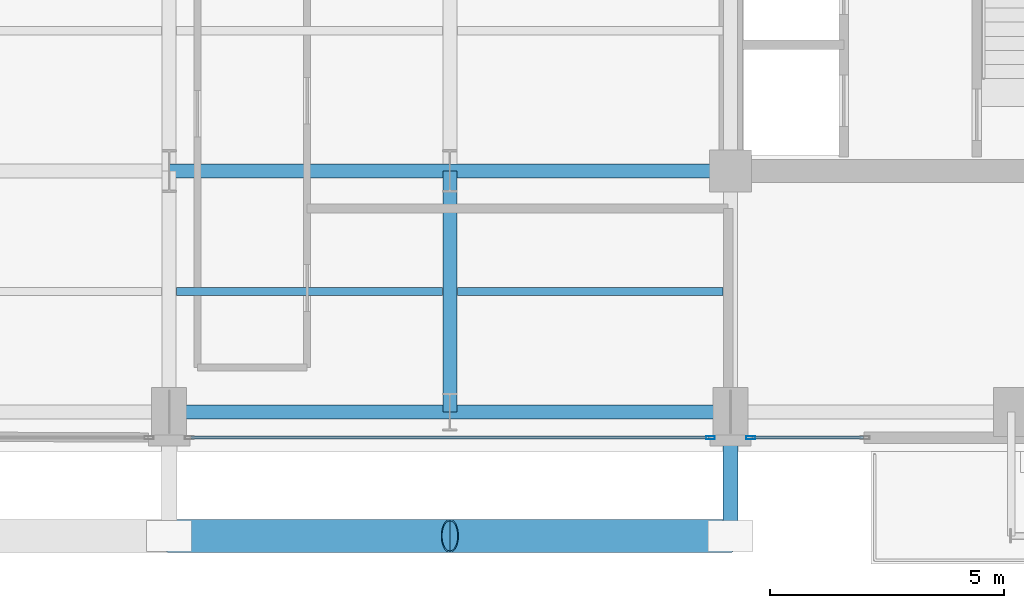
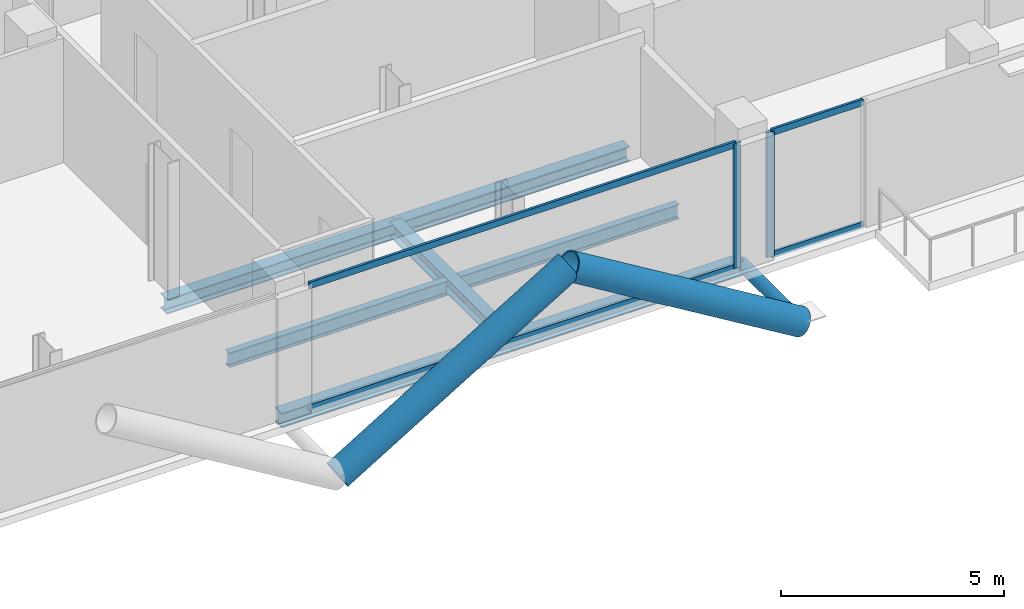
# One storey, part 4 of 25: 9 members, 7 beams, 2 elements without a shape of their own.
"""IFC4 building model written with IfcOpenShell, lengths in metres."""

from ifc_helpers import new_model, si_unit, direction, frame, origin, origin_2d, place, context, subcontext, project, spatial, hollow_rectangle, hollow_circle, i_section, extrude, material, layer, layer_set, material_profile, profile_set, type_object, element, aggregate, save


model = new_model("IFC4")

# Units and contexts
model_context = context("Model", 3, precision=1e-05, world=origin(), true_north=direction((0.0, 1.0)))
body_context = subcontext(model_context, "Body", "Model", "MODEL_VIEW")
ifc_project = project(units=[si_unit("LENGTHUNIT", "METRE"), si_unit("AREAUNIT", "SQUARE_METRE"), si_unit("VOLUMEUNIT", "CUBIC_METRE"), si_unit("PLANEANGLEUNIT", "RADIAN"), si_unit("MASSUNIT", "GRAM", prefix="KILO"), si_unit("THERMODYNAMICTEMPERATUREUNIT", "KELVIN"), si_unit("POWERUNIT", "WATT")], contexts=[model_context])

# Site, building, storey
site_placement = place(None, origin())
site = spatial("IfcSite", under=ifc_project, at=site_placement, CompositionType="ELEMENT")
building_placement = place(site_placement, origin())
building = spatial("IfcBuilding", under=site, at=building_placement, Name="Svarakhadi Broadcast Tower", CompositionType="ELEMENT")
storey_placement = place(building_placement, frame((0.0, 0.0, 231.14990234375)))
storey = spatial("IfcBuildingStorey", under=building, at=storey_placement, Name="L57", CompositionType="ELEMENT", Elevation=231.14990234375)

# Beams
ifc_material_1 = material(Name="Steel S355J2 (IS 2062 E350C)", Category="steel")
ifc_material_profile_1 = material_profile(ifc_material_1, i_section(OverallWidth=0.179931640625, OverallDepth=0.39990234375, WebThickness=0.008544921875, FlangeThickness=0.013427734375, FilletRadius=0.02099609375, at=origin_2d()), Name="NPB 400x180x66")
ifc_profile_set_1 = profile_set([ifc_material_profile_1], Name="Steel S355J2 (IS 2062 E350C)")
beam_type_1 = type_object("IfcBeamType", Name="Beam_NPB400", PredefinedType="BEAM", material=ifc_profile_set_1)
for number, where, z_axis, x_axis, name in (
    (1, (12.159912109375, 3.425048828125, -0.409912109375), (1.0, 0.0, 0.0), (0.0, 1.0, 0.0), "L57 Secondary Composite Beam SB009"),
    (2, (18.159912109375, 3.425048828125, -0.409912109375), (1.0, 0.0, 0.0), (0.0, 1.0, 0.0), "L57 Secondary Composite Beam SB013"),
):
    element("IfcBeam", number, at=place(storey_placement, frame(where, z_axis=z_axis, x_axis=x_axis)), inside=storey, type_object=beam_type_1, Name=name, PredefinedType="BEAM", context=body_context, shape_type="SweptSolid", body=[
        extrude(i_section(OverallWidth=0.179931640625, OverallDepth=0.39990234375, WebThickness=0.008544921875, FlangeThickness=0.013427734375, FilletRadius=0.02099609375, at=origin_2d()), origin(), (0.0, 0.0, 1.0), 5.68017578125),
    ])

# Curtain wall, member
ifc_material_2 = material(Name="Anodised Bronze Aluminium AA 6063-T6", Category="aluminium")
ifc_layer = layer(ifc_material_2, 0.18994140625)
ifc_layer_set = layer_set([ifc_layer], Name="Anodised Bronze Aluminium AA 6063-T6")
curtain_wall_type = type_object("IfcCurtainWallType", Name="CW_Sys_04", PredefinedType="NOTDEFINED", material=ifc_layer_set)
curtain_wall_1_placement = place(storey_placement, origin())
curtain_wall_1 = element("IfcCurtainWall", 3, at=curtain_wall_1_placement, inside=storey, type_object=curtain_wall_type, Name="L57 South Curtain Wall 17 Bay 1", PredefinedType="NOTDEFINED")
ifc_material_profile_2 = material_profile(ifc_material_2, hollow_rectangle(XDim=0.070068359375, YDim=0.18994140625, WallThickness=0.005615234375, at=origin_2d()), Name="ALU MULLION 190x70x6")
ifc_profile_set_2 = profile_set([ifc_material_profile_2], Name="Anodised Bronze Aluminium AA 6063-T6")
member_type_1 = type_object("IfcMemberType", Name="CW_Sys_04_Mul", PredefinedType="MULLION", material=ifc_profile_set_2)
member_1_placement = place(storey_placement, frame((24.429931640625, 0.300048828125, 0.0), z_axis=(0.0, 0.0, 1.0), x_axis=(0.0, -1.0, 0.0)))
member_1 = element("IfcMember", 4, at=member_1_placement, type_object=member_type_1, Name="CW-04 mullion 2", PredefinedType="MULLION", context=body_context, shape_type="SweptSolid", body=[
    extrude(hollow_rectangle(XDim=0.070068359375, YDim=0.18994140625, WallThickness=0.005615234375, at=origin_2d()), origin(), (0.0, 0.0, 1.0), 3.425048828125),
])

curtain_wall_2_placement = place(storey_placement, origin())
curtain_wall_2 = element("IfcCurtainWall", 5, at=curtain_wall_2_placement, inside=storey, type_object=curtain_wall_type, Name="L57 South Curtain Wall 17 Bay 2", PredefinedType="NOTDEFINED")
member_2_placement = place(storey_placement, frame((23.570068359375, 0.300048828125, 0.0), z_axis=(0.0, 0.0, 1.0), x_axis=(0.0, -1.0, 0.0)))
member_2 = element("IfcMember", 6, at=member_2_placement, type_object=member_type_1, Name="CW-04 mullion 1", PredefinedType="MULLION", context=body_context, shape_type="SweptSolid", body=[
    extrude(hollow_rectangle(XDim=0.070068359375, YDim=0.18994140625, WallThickness=0.005615234375, at=origin_2d()), origin(), (0.0, 0.0, 1.0), 3.425048828125),
])

# Member
ifc_material_profile_3 = material_profile(ifc_material_2, hollow_rectangle(XDim=0.06494140625, YDim=0.175048828125, WallThickness=0.0048828125, at=origin_2d()), Name="ALU TRANSOM 175x65x5")
ifc_profile_set_3 = profile_set([ifc_material_profile_3], Name="Anodised Bronze Aluminium AA 6063-T6")
member_type_2 = type_object("IfcMemberType", Name="CW_Sys_04_Trn", PredefinedType="USERDEFINED", material=ifc_profile_set_3)
member_3_placement = place(storey_placement, frame((26.840087890625, 0.300048828125, 0.03271484375), z_axis=(-1.0, 0.0, 0.0), x_axis=(0.0, -1.0, 0.0)))
member_3 = element("IfcMember", 7, at=member_3_placement, type_object=member_type_2, Name="CW-04 transom 1.1", ObjectType="TRANSOM", PredefinedType="USERDEFINED", context=body_context, shape_type="SweptSolid", body=[
    extrude(hollow_rectangle(XDim=0.06494140625, YDim=0.175048828125, WallThickness=0.0048828125, at=origin_2d()), origin(), (0.0, 0.0, 1.0), 2.375),
])

member_4_placement = place(storey_placement, frame((26.840087890625, 0.300048828125, 3.392578125), z_axis=(-1.0, 0.0, 0.0), x_axis=(0.0, -1.0, 0.0)))
member_4 = element("IfcMember", 8, at=member_4_placement, type_object=member_type_2, Name="CW-04 transom 1.2", ObjectType="TRANSOM", PredefinedType="USERDEFINED", context=body_context, shape_type="SweptSolid", body=[
    extrude(hollow_rectangle(XDim=0.06494140625, YDim=0.175048828125, WallThickness=0.0048828125, at=origin_2d()), origin(), (0.0, 0.0, 1.0), 2.375),
])

aggregate(curtain_wall_1, [member_1, member_3, member_4])

member_5_placement = place(storey_placement, frame((23.534912109375, 0.300048828125, 0.03271484375), z_axis=(-1.0, 0.0, 0.0), x_axis=(0.0, -1.0, 0.0)))
member_5 = element("IfcMember", 9, at=member_5_placement, type_object=member_type_2, Name="CW-04 transom 1.1", ObjectType="TRANSOM", PredefinedType="USERDEFINED", context=body_context, shape_type="SweptSolid", body=[
    extrude(hollow_rectangle(XDim=0.06494140625, YDim=0.175048828125, WallThickness=0.0048828125, at=origin_2d()), origin(), (0.0, 0.0, 1.0), 11.06982421875),
])

member_6_placement = place(storey_placement, frame((23.534912109375, 0.300048828125, 3.392578125), z_axis=(-1.0, 0.0, 0.0), x_axis=(0.0, -1.0, 0.0)))
member_6 = element("IfcMember", 10, at=member_6_placement, type_object=member_type_2, Name="CW-04 transom 1.2", ObjectType="TRANSOM", PredefinedType="USERDEFINED", context=body_context, shape_type="SweptSolid", body=[
    extrude(hollow_rectangle(XDim=0.06494140625, YDim=0.175048828125, WallThickness=0.0048828125, at=origin_2d()), origin(), (0.0, 0.0, 1.0), 11.06982421875),
])

aggregate(curtain_wall_2, [member_2, member_5, member_6])

# Members
ifc_material_3 = material(Name="Steel S460ML (IS 2062 E450BR)", Category="steel")
ifc_material_profile_4 = material_profile(ifc_material_3, hollow_circle(Radius=0.35546875, WallThickness=0.034912109375, at=origin_2d()), Name="CHS 711x35")
ifc_profile_set_4 = profile_set([ifc_material_profile_4], Name="Steel S460ML (IS 2062 E450BR)")
member_type_3 = type_object("IfcMemberType", Name="Exo_Brace_CHS711", PredefinedType="BRACE", material=ifc_profile_set_4)
for number, where, z_axis, x_axis, name in (
    (11, (12.0, -1.800048828125, -0.371826171875), (0.855283363051, 0.0, 0.518160562845), (0.0, 1.0, 0.0), "L57 Exposed Bronze Exoskeleton Diagonal S02"),
    (12, (24.0, -1.800048828125, -0.371826171875), (-0.855283363051, 0.0, 0.518160562845), (0.0, -1.0, 0.0), "L57 Exposed Bronze Exoskeleton Diagonal S03"),
):
    element("IfcMember", number, at=place(storey_placement, frame(where, z_axis=z_axis, x_axis=x_axis)), inside=storey, type_object=member_type_3, Name=name, PredefinedType="BRACE", context=body_context, shape_type="SweptSolid", body=[
        extrude(hollow_circle(Radius=0.35546875, WallThickness=0.034912109375, at=origin_2d()), origin(), (0.0, 0.0, 1.0), 7.01513671875),
    ])
ifc_material_profile_5 = material_profile(ifc_material_3, hollow_circle(Radius=0.161865234375, WallThickness=0.01611328125, at=origin_2d()), Name="CHS 323.9x16")
ifc_profile_set_5 = profile_set([ifc_material_profile_5], Name="Steel S460ML (IS 2062 E450BR)")
member_type_4 = type_object("IfcMemberType", Name="Exo_Radial_Strut_Z2", PredefinedType="STRUT", material=ifc_profile_set_5)
member_7_placement = place(storey_placement, frame((24.0, -1.800048828125, -0.371826171875), z_axis=(0.0, 1.0, 0.0), x_axis=(-1.0, 0.0, 0.0)))
element("IfcMember", 13, at=member_7_placement, inside=storey, type_object=member_type_4, Name="L57 Exoskeleton Radial Tie Strut S02", PredefinedType="STRUT", context=body_context, shape_type="SweptSolid", body=[
    extrude(hollow_circle(Radius=0.161865234375, WallThickness=0.01611328125, at=origin_2d()), origin(), (0.0, 0.0, 1.0), 2.650146484375),
])

# Beams
ifc_material_profile_6 = material_profile(ifc_material_1, i_section(OverallWidth=0.300048828125, OverallDepth=0.39990234375, WebThickness=0.013427734375, FlangeThickness=0.02392578125, FilletRadius=0.027099609375, at=origin_2d()), Name="WPB 400x300x155")
ifc_profile_set_6 = profile_set([ifc_material_profile_6], Name="Steel S355J2 (IS 2062 E350C)")
beam_type_2 = type_object("IfcBeamType", Name="Girder_WPB400", PredefinedType="USERDEFINED", material=ifc_profile_set_6)
for number, where, z_axis, x_axis, name in (
    (14, (12.0, 0.85009765625, -0.409912109375), (1.0, 0.0, 0.0), (0.0, 1.0, 0.0), "L57 Primary E-W Girder G005"),
    (15, (18.0, 0.85009765625, -0.409912109375), (1.0, 0.0, 0.0), (0.0, 1.0, 0.0), "L57 Primary E-W Girder G006"),
    (16, (12.0, 6.0, -0.409912109375), (1.0, 0.0, 0.0), (0.0, 1.0, 0.0), "L57 Primary E-W Girder G011"),
    (17, (18.0, 6.0, -0.409912109375), (1.0, 0.0, 0.0), (0.0, 1.0, 0.0), "L57 Primary E-W Girder G012"),
):
    element("IfcBeam", number, at=place(storey_placement, frame(where, z_axis=z_axis, x_axis=x_axis)), inside=storey, type_object=beam_type_2, Name=name, ObjectType="GIRDER", PredefinedType="USERDEFINED", context=body_context, shape_type="SweptSolid", body=[
        extrude(i_section(OverallWidth=0.300048828125, OverallDepth=0.39990234375, WebThickness=0.013427734375, FlangeThickness=0.02392578125, FilletRadius=0.027099609375, at=origin_2d()), origin(), (0.0, 0.0, 1.0), 6.0),
    ])
beam_placement = place(storey_placement, frame((18.0, 0.85009765625, -0.409912109375), z_axis=(0.0, 1.0, 0.0), x_axis=(-1.0, 0.0, 0.0)))
element("IfcBeam", 18, at=beam_placement, inside=storey, type_object=beam_type_2, Name="L57 Primary N-S Girder G046", ObjectType="GIRDER", PredefinedType="USERDEFINED", context=body_context, shape_type="SweptSolid", body=[
    extrude(i_section(OverallWidth=0.300048828125, OverallDepth=0.39990234375, WebThickness=0.013427734375, FlangeThickness=0.02392578125, FilletRadius=0.027099609375, at=origin_2d()), origin(), (0.0, 0.0, 1.0), 5.14990234375),
])

save(model, "model.ifc")
